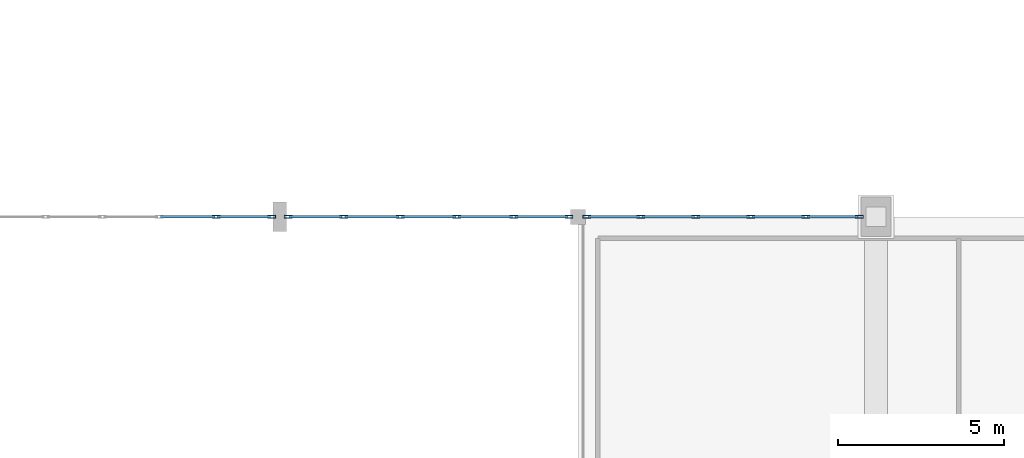
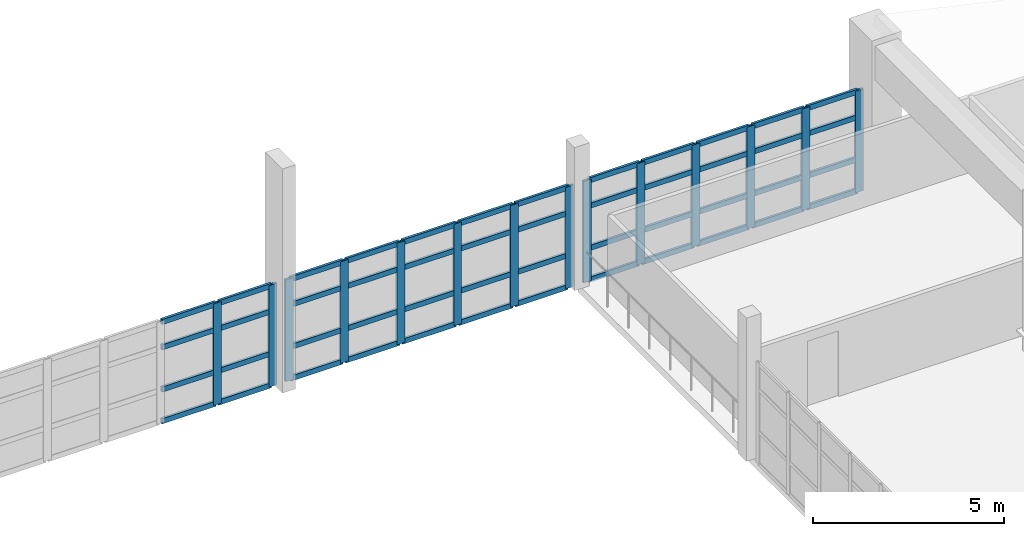
# One storey, part 33 of 80: 62 members, 3 elements without a shape of their own.
"""IFC4 building model written with IfcOpenShell, lengths in metres."""

from ifc_helpers import new_model, si_unit, direction, frame, origin, origin_2d, place, context, subcontext, project, spatial, hollow_rectangle, extrude, material, layer, layer_set, material_profile, profile_set, type_object, element, aggregate, save


model = new_model("IFC4")

# Units and contexts
model_context = context("Model", 3, precision=1e-05, world=origin(), true_north=direction((0.0, 1.0)))
body_context = subcontext(model_context, "Body", "Model", "MODEL_VIEW")
ifc_project = project(units=[si_unit("LENGTHUNIT", "METRE"), si_unit("AREAUNIT", "SQUARE_METRE"), si_unit("VOLUMEUNIT", "CUBIC_METRE"), si_unit("PLANEANGLEUNIT", "RADIAN"), si_unit("MASSUNIT", "GRAM", prefix="KILO")], contexts=[model_context])

# Site, building, storey
site_placement = place(None, origin())
site = spatial("IfcSite", under=ifc_project, at=site_placement, CompositionType="ELEMENT")
building_placement = place(site_placement, origin())
building = spatial("IfcBuilding", under=site, at=building_placement, Name="Ornek Quay Market", CompositionType="ELEMENT")
storey_placement = place(building_placement, frame((0.0, 0.0, 8.39990234375)))
storey = spatial("IfcBuildingStorey", under=building, at=storey_placement, Name="L02", CompositionType="ELEMENT", Elevation=8.39990234375)

# Curtain wall, members
ifc_material_1 = material(Name="Anodised bronze aluminium and triple low-e glass", Category="aluminium")
ifc_layer = layer(ifc_material_1, 0.239990234375, Name="Anodised bronze aluminium and triple low-e glass", Category="aluminium")
ifc_layer_set = layer_set([ifc_layer], Name="Anodised bronze aluminium and triple low-e glass")
curtain_wall_type = type_object("IfcCurtainWallType", Name="CW-GAB-MOD1800", PredefinedType="USERDEFINED", material=ifc_layer_set)
curtain_wall_1_placement = place(storey_placement, origin())
curtain_wall_1 = element("IfcCurtainWall", 1, at=curtain_wall_1_placement, inside=storey, type_object=curtain_wall_type, Name="Curtain wall CW-073", ObjectType="CURTAIN WALL", PredefinedType="USERDEFINED")
ifc_material_2 = material(Name="Anodised aluminium 6063-T6", Category="aluminium")
ifc_material_profile_1 = material_profile(ifc_material_2, hollow_rectangle(XDim=0.080078125, YDim=0.239990234375, WallThickness=0.006103515625, at=origin_2d()), Name="CW-MUL-80x240", Category="aluminium")
ifc_profile_set_1 = profile_set([ifc_material_profile_1], Name="Anodised aluminium 6063-T6")
member_type_1 = type_object("IfcMemberType", Name="CW-MUL-80x240", PredefinedType="MULLION", material=ifc_profile_set_1)
member_1_placement = place(storey_placement, frame((97.073974609375, 92.0, 0.0), z_axis=(0.0, 0.0, 1.0), x_axis=(0.0, 1.0, 0.0)))
member_1 = element("IfcMember", 2, at=member_1_placement, type_object=member_type_1, Name="CW-073 mullion 5", PredefinedType="MULLION", context=body_context, shape_type="SweptSolid", body=[
    extrude(hollow_rectangle(XDim=0.080078125, YDim=0.239990234375, WallThickness=0.006103515625, at=origin_2d()), origin(), (0.0, 0.0, 1.0), 3.25),
])
member_2_placement = place(storey_placement, frame((98.75, 92.0, 0.0), z_axis=(0.0, 0.0, 1.0), x_axis=(0.0, 1.0, 0.0)))
member_2 = element("IfcMember", 3, at=member_2_placement, type_object=member_type_1, Name="CW-073 mullion 6", PredefinedType="MULLION", context=body_context, shape_type="SweptSolid", body=[
    extrude(hollow_rectangle(XDim=0.080078125, YDim=0.239990234375, WallThickness=0.006103515625, at=origin_2d()), origin(), (0.0, 0.0, 1.0), 3.25),
])

curtain_wall_2_placement = place(storey_placement, origin())
curtain_wall_2 = element("IfcCurtainWall", 4, at=curtain_wall_2_placement, inside=storey, type_object=curtain_wall_type, Name="Curtain wall CW-076", ObjectType="CURTAIN WALL", PredefinedType="USERDEFINED")
member_3_placement = place(storey_placement, frame((99.25, 92.0, 0.0), z_axis=(0.0, 0.0, 1.0), x_axis=(0.0, 1.0, 0.0)))
member_3 = element("IfcMember", 5, at=member_3_placement, type_object=member_type_1, Name="CW-076 mullion 1", PredefinedType="MULLION", context=body_context, shape_type="SweptSolid", body=[
    extrude(hollow_rectangle(XDim=0.080078125, YDim=0.239990234375, WallThickness=0.006103515625, at=origin_2d()), origin(), (0.0, 0.0, 1.0), 3.25),
])
member_4_placement = place(storey_placement, frame((100.922119140625, 92.0, 0.0), z_axis=(0.0, 0.0, 1.0), x_axis=(0.0, 1.0, 0.0)))
member_4 = element("IfcMember", 6, at=member_4_placement, type_object=member_type_1, Name="CW-076 mullion 2", PredefinedType="MULLION", context=body_context, shape_type="SweptSolid", body=[
    extrude(hollow_rectangle(XDim=0.080078125, YDim=0.239990234375, WallThickness=0.006103515625, at=origin_2d()), origin(), (0.0, 0.0, 1.0), 3.25),
])
member_5_placement = place(storey_placement, frame((102.634033203125, 92.0, 0.0), z_axis=(0.0, 0.0, 1.0), x_axis=(0.0, 1.0, 0.0)))
member_5 = element("IfcMember", 7, at=member_5_placement, type_object=member_type_1, Name="CW-076 mullion 3", PredefinedType="MULLION", context=body_context, shape_type="SweptSolid", body=[
    extrude(hollow_rectangle(XDim=0.080078125, YDim=0.239990234375, WallThickness=0.006103515625, at=origin_2d()), origin(), (0.0, 0.0, 1.0), 3.25),
])
member_6_placement = place(storey_placement, frame((104.345947265625, 92.0, 0.0), z_axis=(0.0, 0.0, 1.0), x_axis=(0.0, 1.0, 0.0)))
member_6 = element("IfcMember", 8, at=member_6_placement, type_object=member_type_1, Name="CW-076 mullion 4", PredefinedType="MULLION", context=body_context, shape_type="SweptSolid", body=[
    extrude(hollow_rectangle(XDim=0.080078125, YDim=0.239990234375, WallThickness=0.006103515625, at=origin_2d()), origin(), (0.0, 0.0, 1.0), 3.25),
])
member_7_placement = place(storey_placement, frame((106.05810546875, 92.0, 0.0), z_axis=(0.0, 0.0, 1.0), x_axis=(0.0, 1.0, 0.0)))
member_7 = element("IfcMember", 9, at=member_7_placement, type_object=member_type_1, Name="CW-076 mullion 5", PredefinedType="MULLION", context=body_context, shape_type="SweptSolid", body=[
    extrude(hollow_rectangle(XDim=0.080078125, YDim=0.239990234375, WallThickness=0.006103515625, at=origin_2d()), origin(), (0.0, 0.0, 1.0), 3.25),
])
member_8_placement = place(storey_placement, frame((107.72998046875, 92.0, 0.0), z_axis=(0.0, 0.0, 1.0), x_axis=(0.0, 1.0, 0.0)))
member_8 = element("IfcMember", 10, at=member_8_placement, type_object=member_type_1, Name="CW-076 mullion 6", PredefinedType="MULLION", context=body_context, shape_type="SweptSolid", body=[
    extrude(hollow_rectangle(XDim=0.080078125, YDim=0.239990234375, WallThickness=0.006103515625, at=origin_2d()), origin(), (0.0, 0.0, 1.0), 3.25),
])

curtain_wall_3_placement = place(storey_placement, origin())
curtain_wall_3 = element("IfcCurtainWall", 11, at=curtain_wall_3_placement, inside=storey, type_object=curtain_wall_type, Name="Curtain wall CW-078", ObjectType="CURTAIN WALL", PredefinedType="USERDEFINED")
member_9_placement = place(storey_placement, frame((108.27001953125, 92.0, 0.0), z_axis=(0.0, 0.0, 1.0), x_axis=(0.0, 1.0, 0.0)))
member_9 = element("IfcMember", 12, at=member_9_placement, type_object=member_type_1, Name="CW-078 mullion 1", PredefinedType="MULLION", context=body_context, shape_type="SweptSolid", body=[
    extrude(hollow_rectangle(XDim=0.080078125, YDim=0.239990234375, WallThickness=0.006103515625, at=origin_2d()), origin(), (0.0, 0.0, 1.0), 3.25),
])
member_10_placement = place(storey_placement, frame((109.89208984375, 92.0, 0.0), z_axis=(0.0, 0.0, 1.0), x_axis=(0.0, 1.0, 0.0)))
member_10 = element("IfcMember", 13, at=member_10_placement, type_object=member_type_1, Name="CW-078 mullion 2", PredefinedType="MULLION", context=body_context, shape_type="SweptSolid", body=[
    extrude(hollow_rectangle(XDim=0.080078125, YDim=0.239990234375, WallThickness=0.006103515625, at=origin_2d()), origin(), (0.0, 0.0, 1.0), 3.25),
])
member_11_placement = place(storey_placement, frame((111.553955078125, 92.0, 0.0), z_axis=(0.0, 0.0, 1.0), x_axis=(0.0, 1.0, 0.0)))
member_11 = element("IfcMember", 14, at=member_11_placement, type_object=member_type_1, Name="CW-078 mullion 3", PredefinedType="MULLION", context=body_context, shape_type="SweptSolid", body=[
    extrude(hollow_rectangle(XDim=0.080078125, YDim=0.239990234375, WallThickness=0.006103515625, at=origin_2d()), origin(), (0.0, 0.0, 1.0), 3.25),
])
member_12_placement = place(storey_placement, frame((113.216064453125, 92.0, 0.0), z_axis=(0.0, 0.0, 1.0), x_axis=(0.0, 1.0, 0.0)))
member_12 = element("IfcMember", 15, at=member_12_placement, type_object=member_type_1, Name="CW-078 mullion 4", PredefinedType="MULLION", context=body_context, shape_type="SweptSolid", body=[
    extrude(hollow_rectangle(XDim=0.080078125, YDim=0.239990234375, WallThickness=0.006103515625, at=origin_2d()), origin(), (0.0, 0.0, 1.0), 3.25),
])
member_13_placement = place(storey_placement, frame((114.8779296875, 92.0, 0.0), z_axis=(0.0, 0.0, 1.0), x_axis=(0.0, 1.0, 0.0)))
member_13 = element("IfcMember", 16, at=member_13_placement, type_object=member_type_1, Name="CW-078 mullion 5", PredefinedType="MULLION", context=body_context, shape_type="SweptSolid", body=[
    extrude(hollow_rectangle(XDim=0.080078125, YDim=0.239990234375, WallThickness=0.006103515625, at=origin_2d()), origin(), (0.0, 0.0, 1.0), 3.25),
])
member_14_placement = place(storey_placement, frame((116.5, 92.0, 0.0), z_axis=(0.0, 0.0, 1.0), x_axis=(0.0, 1.0, 0.0)))
member_14 = element("IfcMember", 17, at=member_14_placement, type_object=member_type_1, Name="CW-078 mullion 6", PredefinedType="MULLION", context=body_context, shape_type="SweptSolid", body=[
    extrude(hollow_rectangle(XDim=0.080078125, YDim=0.239990234375, WallThickness=0.006103515625, at=origin_2d()), origin(), (0.0, 0.0, 1.0), 3.25),
])

# Member
ifc_material_profile_2 = material_profile(ifc_material_2, hollow_rectangle(XDim=0.074951171875, YDim=0.1650390625, WallThickness=0.0048828125, at=origin_2d()), Name="CW-TRN-75x165", Category="aluminium")
ifc_profile_set_2 = profile_set([ifc_material_profile_2], Name="Anodised aluminium 6063-T6")
member_type_2 = type_object("IfcMemberType", Name="CW-TRN-75x165", PredefinedType="USERDEFINED", material=ifc_profile_set_2)
member_15_placement = place(storey_placement, frame((95.39794921875, 92.0, 0.03759765625), z_axis=(1.0, 0.0, 0.0), x_axis=(0.0, 1.0, 0.0)))
member_15 = element("IfcMember", 18, at=member_15_placement, type_object=member_type_2, Name="CW-073 transom 4.1", ObjectType="TRANSOM", PredefinedType="USERDEFINED", context=body_context, shape_type="SweptSolid", body=[
    extrude(hollow_rectangle(XDim=0.074951171875, YDim=0.1650390625, WallThickness=0.0048828125, at=origin_2d()), origin(), (0.0, 0.0, 1.0), 1.635986328125),
])

member_16_placement = place(storey_placement, frame((95.39794921875, 92.0, 1.050048828125), z_axis=(1.0, 0.0, 0.0), x_axis=(0.0, 1.0, 0.0)))
member_16 = element("IfcMember", 19, at=member_16_placement, type_object=member_type_2, Name="CW-073 transom 4.2", ObjectType="TRANSOM", PredefinedType="USERDEFINED", context=body_context, shape_type="SweptSolid", body=[
    extrude(hollow_rectangle(XDim=0.074951171875, YDim=0.1650390625, WallThickness=0.0048828125, at=origin_2d()), origin(), (0.0, 0.0, 1.0), 1.635986328125),
])

member_17_placement = place(storey_placement, frame((95.39794921875, 92.0, 2.400146484375), z_axis=(1.0, 0.0, 0.0), x_axis=(0.0, 1.0, 0.0)))
member_17 = element("IfcMember", 20, at=member_17_placement, type_object=member_type_2, Name="CW-073 transom 4.3", ObjectType="TRANSOM", PredefinedType="USERDEFINED", context=body_context, shape_type="SweptSolid", body=[
    extrude(hollow_rectangle(XDim=0.074951171875, YDim=0.1650390625, WallThickness=0.0048828125, at=origin_2d()), origin(), (0.0, 0.0, 1.0), 1.635986328125),
])

member_18_placement = place(storey_placement, frame((95.39794921875, 92.0, 3.212646484375), z_axis=(1.0, 0.0, 0.0), x_axis=(0.0, 1.0, 0.0)))
member_18 = element("IfcMember", 21, at=member_18_placement, type_object=member_type_2, Name="CW-073 transom 4.4", ObjectType="TRANSOM", PredefinedType="USERDEFINED", context=body_context, shape_type="SweptSolid", body=[
    extrude(hollow_rectangle(XDim=0.074951171875, YDim=0.1650390625, WallThickness=0.0048828125, at=origin_2d()), origin(), (0.0, 0.0, 1.0), 1.635986328125),
])

member_19_placement = place(storey_placement, frame((97.114013671875, 92.0, 0.03759765625), z_axis=(1.0, 0.0, 0.0), x_axis=(0.0, 1.0, 0.0)))
member_19 = element("IfcMember", 22, at=member_19_placement, type_object=member_type_2, Name="CW-073 transom 5.1", ObjectType="TRANSOM", PredefinedType="USERDEFINED", context=body_context, shape_type="SweptSolid", body=[
    extrude(hollow_rectangle(XDim=0.074951171875, YDim=0.1650390625, WallThickness=0.0048828125, at=origin_2d()), origin(), (0.0, 0.0, 1.0), 1.595947265625),
])

member_20_placement = place(storey_placement, frame((97.114013671875, 92.0, 1.050048828125), z_axis=(1.0, 0.0, 0.0), x_axis=(0.0, 1.0, 0.0)))
member_20 = element("IfcMember", 23, at=member_20_placement, type_object=member_type_2, Name="CW-073 transom 5.2", ObjectType="TRANSOM", PredefinedType="USERDEFINED", context=body_context, shape_type="SweptSolid", body=[
    extrude(hollow_rectangle(XDim=0.074951171875, YDim=0.1650390625, WallThickness=0.0048828125, at=origin_2d()), origin(), (0.0, 0.0, 1.0), 1.595947265625),
])

member_21_placement = place(storey_placement, frame((97.114013671875, 92.0, 2.400146484375), z_axis=(1.0, 0.0, 0.0), x_axis=(0.0, 1.0, 0.0)))
member_21 = element("IfcMember", 24, at=member_21_placement, type_object=member_type_2, Name="CW-073 transom 5.3", ObjectType="TRANSOM", PredefinedType="USERDEFINED", context=body_context, shape_type="SweptSolid", body=[
    extrude(hollow_rectangle(XDim=0.074951171875, YDim=0.1650390625, WallThickness=0.0048828125, at=origin_2d()), origin(), (0.0, 0.0, 1.0), 1.595947265625),
])

member_22_placement = place(storey_placement, frame((97.114013671875, 92.0, 3.212646484375), z_axis=(1.0, 0.0, 0.0), x_axis=(0.0, 1.0, 0.0)))
member_22 = element("IfcMember", 25, at=member_22_placement, type_object=member_type_2, Name="CW-073 transom 5.4", ObjectType="TRANSOM", PredefinedType="USERDEFINED", context=body_context, shape_type="SweptSolid", body=[
    extrude(hollow_rectangle(XDim=0.074951171875, YDim=0.1650390625, WallThickness=0.0048828125, at=origin_2d()), origin(), (0.0, 0.0, 1.0), 1.595947265625),
])

aggregate(curtain_wall_1, [member_1, member_2, member_15, member_16, member_17, member_18, member_19, member_20, member_21, member_22])

member_23_placement = place(storey_placement, frame((99.2900390625, 92.0, 0.03759765625), z_axis=(1.0, 0.0, 0.0), x_axis=(0.0, 1.0, 0.0)))
member_23 = element("IfcMember", 26, at=member_23_placement, type_object=member_type_2, Name="CW-076 transom 1.1", ObjectType="TRANSOM", PredefinedType="USERDEFINED", context=body_context, shape_type="SweptSolid", body=[
    extrude(hollow_rectangle(XDim=0.074951171875, YDim=0.1650390625, WallThickness=0.0048828125, at=origin_2d()), origin(), (0.0, 0.0, 1.0), 1.592041015625),
])

member_24_placement = place(storey_placement, frame((99.2900390625, 92.0, 1.050048828125), z_axis=(1.0, 0.0, 0.0), x_axis=(0.0, 1.0, 0.0)))
member_24 = element("IfcMember", 27, at=member_24_placement, type_object=member_type_2, Name="CW-076 transom 1.2", ObjectType="TRANSOM", PredefinedType="USERDEFINED", context=body_context, shape_type="SweptSolid", body=[
    extrude(hollow_rectangle(XDim=0.074951171875, YDim=0.1650390625, WallThickness=0.0048828125, at=origin_2d()), origin(), (0.0, 0.0, 1.0), 1.592041015625),
])

member_25_placement = place(storey_placement, frame((99.2900390625, 92.0, 2.400146484375), z_axis=(1.0, 0.0, 0.0), x_axis=(0.0, 1.0, 0.0)))
member_25 = element("IfcMember", 28, at=member_25_placement, type_object=member_type_2, Name="CW-076 transom 1.3", ObjectType="TRANSOM", PredefinedType="USERDEFINED", context=body_context, shape_type="SweptSolid", body=[
    extrude(hollow_rectangle(XDim=0.074951171875, YDim=0.1650390625, WallThickness=0.0048828125, at=origin_2d()), origin(), (0.0, 0.0, 1.0), 1.592041015625),
])

member_26_placement = place(storey_placement, frame((99.2900390625, 92.0, 3.212646484375), z_axis=(1.0, 0.0, 0.0), x_axis=(0.0, 1.0, 0.0)))
member_26 = element("IfcMember", 29, at=member_26_placement, type_object=member_type_2, Name="CW-076 transom 1.4", ObjectType="TRANSOM", PredefinedType="USERDEFINED", context=body_context, shape_type="SweptSolid", body=[
    extrude(hollow_rectangle(XDim=0.074951171875, YDim=0.1650390625, WallThickness=0.0048828125, at=origin_2d()), origin(), (0.0, 0.0, 1.0), 1.592041015625),
])

member_27_placement = place(storey_placement, frame((100.9619140625, 92.0, 0.03759765625), z_axis=(1.0, 0.0, 0.0), x_axis=(0.0, 1.0, 0.0)))
member_27 = element("IfcMember", 30, at=member_27_placement, type_object=member_type_2, Name="CW-076 transom 2.1", ObjectType="TRANSOM", PredefinedType="USERDEFINED", context=body_context, shape_type="SweptSolid", body=[
    extrude(hollow_rectangle(XDim=0.074951171875, YDim=0.1650390625, WallThickness=0.0048828125, at=origin_2d()), origin(), (0.0, 0.0, 1.0), 1.632080078125),
])

member_28_placement = place(storey_placement, frame((100.9619140625, 92.0, 1.050048828125), z_axis=(1.0, 0.0, 0.0), x_axis=(0.0, 1.0, 0.0)))
member_28 = element("IfcMember", 31, at=member_28_placement, type_object=member_type_2, Name="CW-076 transom 2.2", ObjectType="TRANSOM", PredefinedType="USERDEFINED", context=body_context, shape_type="SweptSolid", body=[
    extrude(hollow_rectangle(XDim=0.074951171875, YDim=0.1650390625, WallThickness=0.0048828125, at=origin_2d()), origin(), (0.0, 0.0, 1.0), 1.632080078125),
])

member_29_placement = place(storey_placement, frame((100.9619140625, 92.0, 2.400146484375), z_axis=(1.0, 0.0, 0.0), x_axis=(0.0, 1.0, 0.0)))
member_29 = element("IfcMember", 32, at=member_29_placement, type_object=member_type_2, Name="CW-076 transom 2.3", ObjectType="TRANSOM", PredefinedType="USERDEFINED", context=body_context, shape_type="SweptSolid", body=[
    extrude(hollow_rectangle(XDim=0.074951171875, YDim=0.1650390625, WallThickness=0.0048828125, at=origin_2d()), origin(), (0.0, 0.0, 1.0), 1.632080078125),
])

member_30_placement = place(storey_placement, frame((100.9619140625, 92.0, 3.212646484375), z_axis=(1.0, 0.0, 0.0), x_axis=(0.0, 1.0, 0.0)))
member_30 = element("IfcMember", 33, at=member_30_placement, type_object=member_type_2, Name="CW-076 transom 2.4", ObjectType="TRANSOM", PredefinedType="USERDEFINED", context=body_context, shape_type="SweptSolid", body=[
    extrude(hollow_rectangle(XDim=0.074951171875, YDim=0.1650390625, WallThickness=0.0048828125, at=origin_2d()), origin(), (0.0, 0.0, 1.0), 1.632080078125),
])

member_31_placement = place(storey_placement, frame((102.674072265625, 92.0, 0.03759765625), z_axis=(1.0, 0.0, 0.0), x_axis=(0.0, 1.0, 0.0)))
member_31 = element("IfcMember", 34, at=member_31_placement, type_object=member_type_2, Name="CW-076 transom 3.1", ObjectType="TRANSOM", PredefinedType="USERDEFINED", context=body_context, shape_type="SweptSolid", body=[
    extrude(hollow_rectangle(XDim=0.074951171875, YDim=0.1650390625, WallThickness=0.0048828125, at=origin_2d()), origin(), (0.0, 0.0, 1.0), 1.6318359375),
])

member_32_placement = place(storey_placement, frame((102.674072265625, 92.0, 1.050048828125), z_axis=(1.0, 0.0, 0.0), x_axis=(0.0, 1.0, 0.0)))
member_32 = element("IfcMember", 35, at=member_32_placement, type_object=member_type_2, Name="CW-076 transom 3.2", ObjectType="TRANSOM", PredefinedType="USERDEFINED", context=body_context, shape_type="SweptSolid", body=[
    extrude(hollow_rectangle(XDim=0.074951171875, YDim=0.1650390625, WallThickness=0.0048828125, at=origin_2d()), origin(), (0.0, 0.0, 1.0), 1.6318359375),
])

member_33_placement = place(storey_placement, frame((102.674072265625, 92.0, 2.400146484375), z_axis=(1.0, 0.0, 0.0), x_axis=(0.0, 1.0, 0.0)))
member_33 = element("IfcMember", 36, at=member_33_placement, type_object=member_type_2, Name="CW-076 transom 3.3", ObjectType="TRANSOM", PredefinedType="USERDEFINED", context=body_context, shape_type="SweptSolid", body=[
    extrude(hollow_rectangle(XDim=0.074951171875, YDim=0.1650390625, WallThickness=0.0048828125, at=origin_2d()), origin(), (0.0, 0.0, 1.0), 1.6318359375),
])

member_34_placement = place(storey_placement, frame((102.674072265625, 92.0, 3.212646484375), z_axis=(1.0, 0.0, 0.0), x_axis=(0.0, 1.0, 0.0)))
member_34 = element("IfcMember", 37, at=member_34_placement, type_object=member_type_2, Name="CW-076 transom 3.4", ObjectType="TRANSOM", PredefinedType="USERDEFINED", context=body_context, shape_type="SweptSolid", body=[
    extrude(hollow_rectangle(XDim=0.074951171875, YDim=0.1650390625, WallThickness=0.0048828125, at=origin_2d()), origin(), (0.0, 0.0, 1.0), 1.6318359375),
])

member_35_placement = place(storey_placement, frame((104.385986328125, 92.0, 0.03759765625), z_axis=(1.0, 0.0, 0.0), x_axis=(0.0, 1.0, 0.0)))
member_35 = element("IfcMember", 38, at=member_35_placement, type_object=member_type_2, Name="CW-076 transom 4.1", ObjectType="TRANSOM", PredefinedType="USERDEFINED", context=body_context, shape_type="SweptSolid", body=[
    extrude(hollow_rectangle(XDim=0.074951171875, YDim=0.1650390625, WallThickness=0.0048828125, at=origin_2d()), origin(), (0.0, 0.0, 1.0), 1.632080078125),
])

member_36_placement = place(storey_placement, frame((104.385986328125, 92.0, 1.050048828125), z_axis=(1.0, 0.0, 0.0), x_axis=(0.0, 1.0, 0.0)))
member_36 = element("IfcMember", 39, at=member_36_placement, type_object=member_type_2, Name="CW-076 transom 4.2", ObjectType="TRANSOM", PredefinedType="USERDEFINED", context=body_context, shape_type="SweptSolid", body=[
    extrude(hollow_rectangle(XDim=0.074951171875, YDim=0.1650390625, WallThickness=0.0048828125, at=origin_2d()), origin(), (0.0, 0.0, 1.0), 1.632080078125),
])

member_37_placement = place(storey_placement, frame((104.385986328125, 92.0, 2.400146484375), z_axis=(1.0, 0.0, 0.0), x_axis=(0.0, 1.0, 0.0)))
member_37 = element("IfcMember", 40, at=member_37_placement, type_object=member_type_2, Name="CW-076 transom 4.3", ObjectType="TRANSOM", PredefinedType="USERDEFINED", context=body_context, shape_type="SweptSolid", body=[
    extrude(hollow_rectangle(XDim=0.074951171875, YDim=0.1650390625, WallThickness=0.0048828125, at=origin_2d()), origin(), (0.0, 0.0, 1.0), 1.632080078125),
])

member_38_placement = place(storey_placement, frame((104.385986328125, 92.0, 3.212646484375), z_axis=(1.0, 0.0, 0.0), x_axis=(0.0, 1.0, 0.0)))
member_38 = element("IfcMember", 41, at=member_38_placement, type_object=member_type_2, Name="CW-076 transom 4.4", ObjectType="TRANSOM", PredefinedType="USERDEFINED", context=body_context, shape_type="SweptSolid", body=[
    extrude(hollow_rectangle(XDim=0.074951171875, YDim=0.1650390625, WallThickness=0.0048828125, at=origin_2d()), origin(), (0.0, 0.0, 1.0), 1.632080078125),
])

member_39_placement = place(storey_placement, frame((106.097900390625, 92.0, 0.03759765625), z_axis=(1.0, 0.0, 0.0), x_axis=(0.0, 1.0, 0.0)))
member_39 = element("IfcMember", 42, at=member_39_placement, type_object=member_type_2, Name="CW-076 transom 5.1", ObjectType="TRANSOM", PredefinedType="USERDEFINED", context=body_context, shape_type="SweptSolid", body=[
    extrude(hollow_rectangle(XDim=0.074951171875, YDim=0.1650390625, WallThickness=0.0048828125, at=origin_2d()), origin(), (0.0, 0.0, 1.0), 1.592041015625),
])

member_40_placement = place(storey_placement, frame((106.097900390625, 92.0, 1.050048828125), z_axis=(1.0, 0.0, 0.0), x_axis=(0.0, 1.0, 0.0)))
member_40 = element("IfcMember", 43, at=member_40_placement, type_object=member_type_2, Name="CW-076 transom 5.2", ObjectType="TRANSOM", PredefinedType="USERDEFINED", context=body_context, shape_type="SweptSolid", body=[
    extrude(hollow_rectangle(XDim=0.074951171875, YDim=0.1650390625, WallThickness=0.0048828125, at=origin_2d()), origin(), (0.0, 0.0, 1.0), 1.592041015625),
])

member_41_placement = place(storey_placement, frame((106.097900390625, 92.0, 2.400146484375), z_axis=(1.0, 0.0, 0.0), x_axis=(0.0, 1.0, 0.0)))
member_41 = element("IfcMember", 44, at=member_41_placement, type_object=member_type_2, Name="CW-076 transom 5.3", ObjectType="TRANSOM", PredefinedType="USERDEFINED", context=body_context, shape_type="SweptSolid", body=[
    extrude(hollow_rectangle(XDim=0.074951171875, YDim=0.1650390625, WallThickness=0.0048828125, at=origin_2d()), origin(), (0.0, 0.0, 1.0), 1.592041015625),
])

member_42_placement = place(storey_placement, frame((106.097900390625, 92.0, 3.212646484375), z_axis=(1.0, 0.0, 0.0), x_axis=(0.0, 1.0, 0.0)))
member_42 = element("IfcMember", 45, at=member_42_placement, type_object=member_type_2, Name="CW-076 transom 5.4", ObjectType="TRANSOM", PredefinedType="USERDEFINED", context=body_context, shape_type="SweptSolid", body=[
    extrude(hollow_rectangle(XDim=0.074951171875, YDim=0.1650390625, WallThickness=0.0048828125, at=origin_2d()), origin(), (0.0, 0.0, 1.0), 1.592041015625),
])

aggregate(curtain_wall_2, [member_3, member_4, member_5, member_6, member_7, member_8, member_23, member_24, member_25, member_26, member_27, member_28, member_29, member_30, member_31, member_32, member_33, member_34, member_35, member_36, member_37, member_38, member_39, member_40, member_41, member_42])

member_43_placement = place(storey_placement, frame((108.31005859375, 92.0, 0.03759765625), z_axis=(1.0, 0.0, 0.0), x_axis=(0.0, 1.0, 0.0)))
member_43 = element("IfcMember", 46, at=member_43_placement, type_object=member_type_2, Name="CW-078 transom 1.1", ObjectType="TRANSOM", PredefinedType="USERDEFINED", context=body_context, shape_type="SweptSolid", body=[
    extrude(hollow_rectangle(XDim=0.074951171875, YDim=0.1650390625, WallThickness=0.0048828125, at=origin_2d()), origin(), (0.0, 0.0, 1.0), 1.5419921875),
])

member_44_placement = place(storey_placement, frame((108.31005859375, 92.0, 1.050048828125), z_axis=(1.0, 0.0, 0.0), x_axis=(0.0, 1.0, 0.0)))
member_44 = element("IfcMember", 47, at=member_44_placement, type_object=member_type_2, Name="CW-078 transom 1.2", ObjectType="TRANSOM", PredefinedType="USERDEFINED", context=body_context, shape_type="SweptSolid", body=[
    extrude(hollow_rectangle(XDim=0.074951171875, YDim=0.1650390625, WallThickness=0.0048828125, at=origin_2d()), origin(), (0.0, 0.0, 1.0), 1.5419921875),
])

member_45_placement = place(storey_placement, frame((108.31005859375, 92.0, 2.400146484375), z_axis=(1.0, 0.0, 0.0), x_axis=(0.0, 1.0, 0.0)))
member_45 = element("IfcMember", 48, at=member_45_placement, type_object=member_type_2, Name="CW-078 transom 1.3", ObjectType="TRANSOM", PredefinedType="USERDEFINED", context=body_context, shape_type="SweptSolid", body=[
    extrude(hollow_rectangle(XDim=0.074951171875, YDim=0.1650390625, WallThickness=0.0048828125, at=origin_2d()), origin(), (0.0, 0.0, 1.0), 1.5419921875),
])

member_46_placement = place(storey_placement, frame((108.31005859375, 92.0, 3.212646484375), z_axis=(1.0, 0.0, 0.0), x_axis=(0.0, 1.0, 0.0)))
member_46 = element("IfcMember", 49, at=member_46_placement, type_object=member_type_2, Name="CW-078 transom 1.4", ObjectType="TRANSOM", PredefinedType="USERDEFINED", context=body_context, shape_type="SweptSolid", body=[
    extrude(hollow_rectangle(XDim=0.074951171875, YDim=0.1650390625, WallThickness=0.0048828125, at=origin_2d()), origin(), (0.0, 0.0, 1.0), 1.5419921875),
])

member_47_placement = place(storey_placement, frame((109.931884765625, 92.0, 0.03759765625), z_axis=(1.0, 0.0, 0.0), x_axis=(0.0, 1.0, 0.0)))
member_47 = element("IfcMember", 50, at=member_47_placement, type_object=member_type_2, Name="CW-078 transom 2.1", ObjectType="TRANSOM", PredefinedType="USERDEFINED", context=body_context, shape_type="SweptSolid", body=[
    extrude(hollow_rectangle(XDim=0.074951171875, YDim=0.1650390625, WallThickness=0.0048828125, at=origin_2d()), origin(), (0.0, 0.0, 1.0), 1.58203125),
])

member_48_placement = place(storey_placement, frame((109.931884765625, 92.0, 1.050048828125), z_axis=(1.0, 0.0, 0.0), x_axis=(0.0, 1.0, 0.0)))
member_48 = element("IfcMember", 51, at=member_48_placement, type_object=member_type_2, Name="CW-078 transom 2.2", ObjectType="TRANSOM", PredefinedType="USERDEFINED", context=body_context, shape_type="SweptSolid", body=[
    extrude(hollow_rectangle(XDim=0.074951171875, YDim=0.1650390625, WallThickness=0.0048828125, at=origin_2d()), origin(), (0.0, 0.0, 1.0), 1.58203125),
])

member_49_placement = place(storey_placement, frame((109.931884765625, 92.0, 2.400146484375), z_axis=(1.0, 0.0, 0.0), x_axis=(0.0, 1.0, 0.0)))
member_49 = element("IfcMember", 52, at=member_49_placement, type_object=member_type_2, Name="CW-078 transom 2.3", ObjectType="TRANSOM", PredefinedType="USERDEFINED", context=body_context, shape_type="SweptSolid", body=[
    extrude(hollow_rectangle(XDim=0.074951171875, YDim=0.1650390625, WallThickness=0.0048828125, at=origin_2d()), origin(), (0.0, 0.0, 1.0), 1.58203125),
])

member_50_placement = place(storey_placement, frame((109.931884765625, 92.0, 3.212646484375), z_axis=(1.0, 0.0, 0.0), x_axis=(0.0, 1.0, 0.0)))
member_50 = element("IfcMember", 53, at=member_50_placement, type_object=member_type_2, Name="CW-078 transom 2.4", ObjectType="TRANSOM", PredefinedType="USERDEFINED", context=body_context, shape_type="SweptSolid", body=[
    extrude(hollow_rectangle(XDim=0.074951171875, YDim=0.1650390625, WallThickness=0.0048828125, at=origin_2d()), origin(), (0.0, 0.0, 1.0), 1.58203125),
])

member_51_placement = place(storey_placement, frame((111.593994140625, 92.0, 0.03759765625), z_axis=(1.0, 0.0, 0.0), x_axis=(0.0, 1.0, 0.0)))
member_51 = element("IfcMember", 54, at=member_51_placement, type_object=member_type_2, Name="CW-078 transom 3.1", ObjectType="TRANSOM", PredefinedType="USERDEFINED", context=body_context, shape_type="SweptSolid", body=[
    extrude(hollow_rectangle(XDim=0.074951171875, YDim=0.1650390625, WallThickness=0.0048828125, at=origin_2d()), origin(), (0.0, 0.0, 1.0), 1.58203125),
])

member_52_placement = place(storey_placement, frame((111.593994140625, 92.0, 1.050048828125), z_axis=(1.0, 0.0, 0.0), x_axis=(0.0, 1.0, 0.0)))
member_52 = element("IfcMember", 55, at=member_52_placement, type_object=member_type_2, Name="CW-078 transom 3.2", ObjectType="TRANSOM", PredefinedType="USERDEFINED", context=body_context, shape_type="SweptSolid", body=[
    extrude(hollow_rectangle(XDim=0.074951171875, YDim=0.1650390625, WallThickness=0.0048828125, at=origin_2d()), origin(), (0.0, 0.0, 1.0), 1.58203125),
])

member_53_placement = place(storey_placement, frame((111.593994140625, 92.0, 2.400146484375), z_axis=(1.0, 0.0, 0.0), x_axis=(0.0, 1.0, 0.0)))
member_53 = element("IfcMember", 56, at=member_53_placement, type_object=member_type_2, Name="CW-078 transom 3.3", ObjectType="TRANSOM", PredefinedType="USERDEFINED", context=body_context, shape_type="SweptSolid", body=[
    extrude(hollow_rectangle(XDim=0.074951171875, YDim=0.1650390625, WallThickness=0.0048828125, at=origin_2d()), origin(), (0.0, 0.0, 1.0), 1.58203125),
])

member_54_placement = place(storey_placement, frame((111.593994140625, 92.0, 3.212646484375), z_axis=(1.0, 0.0, 0.0), x_axis=(0.0, 1.0, 0.0)))
member_54 = element("IfcMember", 57, at=member_54_placement, type_object=member_type_2, Name="CW-078 transom 3.4", ObjectType="TRANSOM", PredefinedType="USERDEFINED", context=body_context, shape_type="SweptSolid", body=[
    extrude(hollow_rectangle(XDim=0.074951171875, YDim=0.1650390625, WallThickness=0.0048828125, at=origin_2d()), origin(), (0.0, 0.0, 1.0), 1.58203125),
])

member_55_placement = place(storey_placement, frame((113.256103515625, 92.0, 0.03759765625), z_axis=(1.0, 0.0, 0.0), x_axis=(0.0, 1.0, 0.0)))
member_55 = element("IfcMember", 58, at=member_55_placement, type_object=member_type_2, Name="CW-078 transom 4.1", ObjectType="TRANSOM", PredefinedType="USERDEFINED", context=body_context, shape_type="SweptSolid", body=[
    extrude(hollow_rectangle(XDim=0.074951171875, YDim=0.1650390625, WallThickness=0.0048828125, at=origin_2d()), origin(), (0.0, 0.0, 1.0), 1.581787109375),
])

member_56_placement = place(storey_placement, frame((113.256103515625, 92.0, 1.050048828125), z_axis=(1.0, 0.0, 0.0), x_axis=(0.0, 1.0, 0.0)))
member_56 = element("IfcMember", 59, at=member_56_placement, type_object=member_type_2, Name="CW-078 transom 4.2", ObjectType="TRANSOM", PredefinedType="USERDEFINED", context=body_context, shape_type="SweptSolid", body=[
    extrude(hollow_rectangle(XDim=0.074951171875, YDim=0.1650390625, WallThickness=0.0048828125, at=origin_2d()), origin(), (0.0, 0.0, 1.0), 1.581787109375),
])

member_57_placement = place(storey_placement, frame((113.256103515625, 92.0, 2.400146484375), z_axis=(1.0, 0.0, 0.0), x_axis=(0.0, 1.0, 0.0)))
member_57 = element("IfcMember", 60, at=member_57_placement, type_object=member_type_2, Name="CW-078 transom 4.3", ObjectType="TRANSOM", PredefinedType="USERDEFINED", context=body_context, shape_type="SweptSolid", body=[
    extrude(hollow_rectangle(XDim=0.074951171875, YDim=0.1650390625, WallThickness=0.0048828125, at=origin_2d()), origin(), (0.0, 0.0, 1.0), 1.581787109375),
])

member_58_placement = place(storey_placement, frame((113.256103515625, 92.0, 3.212646484375), z_axis=(1.0, 0.0, 0.0), x_axis=(0.0, 1.0, 0.0)))
member_58 = element("IfcMember", 61, at=member_58_placement, type_object=member_type_2, Name="CW-078 transom 4.4", ObjectType="TRANSOM", PredefinedType="USERDEFINED", context=body_context, shape_type="SweptSolid", body=[
    extrude(hollow_rectangle(XDim=0.074951171875, YDim=0.1650390625, WallThickness=0.0048828125, at=origin_2d()), origin(), (0.0, 0.0, 1.0), 1.581787109375),
])

member_59_placement = place(storey_placement, frame((114.91796875, 92.0, 0.03759765625), z_axis=(1.0, 0.0, 0.0), x_axis=(0.0, 1.0, 0.0)))
member_59 = element("IfcMember", 62, at=member_59_placement, type_object=member_type_2, Name="CW-078 transom 5.1", ObjectType="TRANSOM", PredefinedType="USERDEFINED", context=body_context, shape_type="SweptSolid", body=[
    extrude(hollow_rectangle(XDim=0.074951171875, YDim=0.1650390625, WallThickness=0.0048828125, at=origin_2d()), origin(), (0.0, 0.0, 1.0), 1.5419921875),
])

member_60_placement = place(storey_placement, frame((114.91796875, 92.0, 1.050048828125), z_axis=(1.0, 0.0, 0.0), x_axis=(0.0, 1.0, 0.0)))
member_60 = element("IfcMember", 63, at=member_60_placement, type_object=member_type_2, Name="CW-078 transom 5.2", ObjectType="TRANSOM", PredefinedType="USERDEFINED", context=body_context, shape_type="SweptSolid", body=[
    extrude(hollow_rectangle(XDim=0.074951171875, YDim=0.1650390625, WallThickness=0.0048828125, at=origin_2d()), origin(), (0.0, 0.0, 1.0), 1.5419921875),
])

member_61_placement = place(storey_placement, frame((114.91796875, 92.0, 2.400146484375), z_axis=(1.0, 0.0, 0.0), x_axis=(0.0, 1.0, 0.0)))
member_61 = element("IfcMember", 64, at=member_61_placement, type_object=member_type_2, Name="CW-078 transom 5.3", ObjectType="TRANSOM", PredefinedType="USERDEFINED", context=body_context, shape_type="SweptSolid", body=[
    extrude(hollow_rectangle(XDim=0.074951171875, YDim=0.1650390625, WallThickness=0.0048828125, at=origin_2d()), origin(), (0.0, 0.0, 1.0), 1.5419921875),
])

member_62_placement = place(storey_placement, frame((114.91796875, 92.0, 3.212646484375), z_axis=(1.0, 0.0, 0.0), x_axis=(0.0, 1.0, 0.0)))
member_62 = element("IfcMember", 65, at=member_62_placement, type_object=member_type_2, Name="CW-078 transom 5.4", ObjectType="TRANSOM", PredefinedType="USERDEFINED", context=body_context, shape_type="SweptSolid", body=[
    extrude(hollow_rectangle(XDim=0.074951171875, YDim=0.1650390625, WallThickness=0.0048828125, at=origin_2d()), origin(), (0.0, 0.0, 1.0), 1.5419921875),
])

aggregate(curtain_wall_3, [member_9, member_10, member_11, member_12, member_13, member_14, member_43, member_44, member_45, member_46, member_47, member_48, member_49, member_50, member_51, member_52, member_53, member_54, member_55, member_56, member_57, member_58, member_59, member_60, member_61, member_62])

save(model, "model.ifc")
